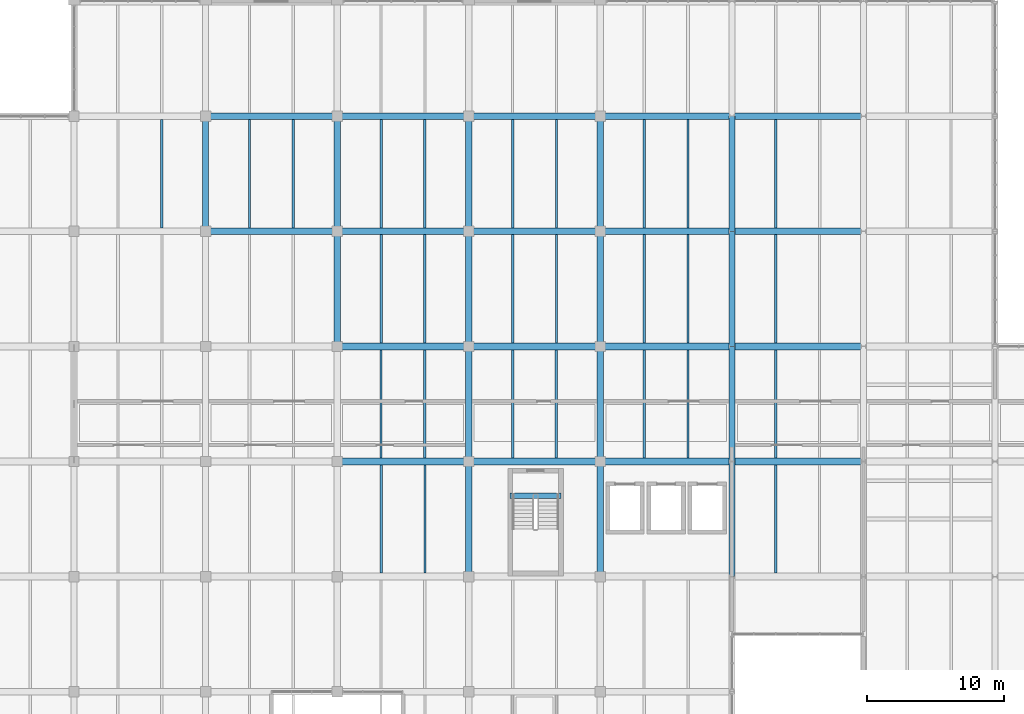
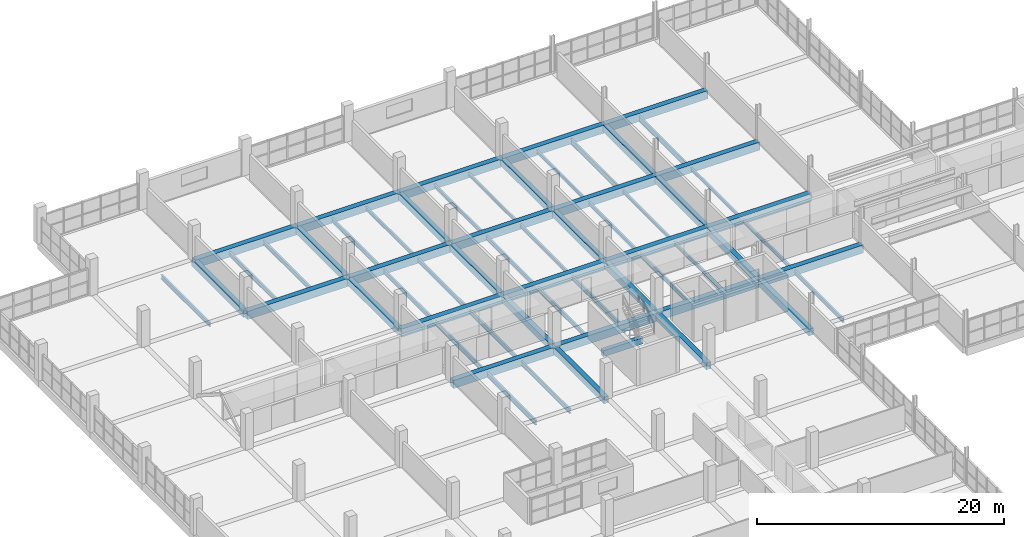
# One storey, part 40 of 147: 61 beams.
"""IFC4 building model written with IfcOpenShell, lengths in metres."""

from ifc_helpers import new_model, si_unit, direction, frame, origin, origin_2d, place, context, subcontext, project, spatial, rectangle, i_section, extrude, material, material_profile, profile_set, type_object, element, save


model = new_model("IFC4")

# Units and contexts
model_context = context("Model", 3, precision=1e-05, world=origin(), true_north=direction((0.0, 1.0)))
body_context = subcontext(model_context, "Body", "Model", "MODEL_VIEW")
ifc_project = project(units=[si_unit("LENGTHUNIT", "METRE"), si_unit("AREAUNIT", "SQUARE_METRE"), si_unit("VOLUMEUNIT", "CUBIC_METRE"), si_unit("PLANEANGLEUNIT", "RADIAN"), si_unit("MASSUNIT", "GRAM", prefix="KILO")], contexts=[model_context])

# Site, building, storey
site_placement = place(None, origin())
site = spatial("IfcSite", under=ifc_project, at=site_placement, CompositionType="ELEMENT")
building_placement = place(site_placement, origin())
building = spatial("IfcBuilding", under=site, at=building_placement, Name="Oolite Switchyard Hospital", CompositionType="ELEMENT")
storey_placement = place(building_placement, frame((0.0, 0.0, 9.89990234375)))
storey = spatial("IfcBuildingStorey", under=building, at=storey_placement, Name="L02", CompositionType="ELEMENT", Elevation=9.89990234375)

# Beams
ifc_material_1 = material(Name="Concrete C40/50", Category="concrete")
ifc_material_profile_1 = material_profile(ifc_material_1, rectangle(XDim=0.39990234375, YDim=0.60009765625, at=origin_2d()), Name="RCB400X600")
ifc_profile_set_1 = profile_set([ifc_material_profile_1], Name="Concrete C40/50")
beam_type_1 = type_object("IfcBeamType", Name="BM-RC400X600", PredefinedType="BEAM", material=ifc_profile_set_1)
beam_1_placement = place(storey_placement, frame((41.425048828125, 98.31005859375, -0.2998046875), z_axis=(1.0, 0.0, 0.0), x_axis=(0.0, 1.0, 0.0)))
element("IfcBeam", 1, at=beam_1_placement, inside=storey, type_object=beam_type_1, Name="L02 ST-07 Stair Throat Trimmer Beam", PredefinedType="BEAM", context=body_context, shape_type="SweptSolid", body=[
    extrude(rectangle(XDim=0.39990234375, YDim=0.60009765625, at=origin_2d()), origin(), (0.0, 0.0, 1.0), 3.7099609375),
])
ifc_material_profile_2 = material_profile(ifc_material_1, rectangle(XDim=0.449951171875, YDim=0.64990234375, at=origin_2d()), Name="RCB450X650")
ifc_profile_set_2 = profile_set([ifc_material_profile_2], Name="Concrete C40/50")
beam_type_2 = type_object("IfcBeamType", Name="BM-RC450X650", PredefinedType="BEAM", material=ifc_profile_set_2)
beam_2_placement = place(storey_placement, frame((19.199951171875, 117.60009765625, -0.324951171875), z_axis=(0.0, 1.0, 0.0), x_axis=(-1.0, 0.0, 0.0)))
element("IfcBeam", 2, at=beam_2_placement, inside=storey, type_object=beam_type_2, Name="L02 Y-Girder 1291", PredefinedType="BEAM", context=body_context, shape_type="SweptSolid", body=[
    extrude(rectangle(XDim=0.449951171875, YDim=0.64990234375, at=origin_2d()), origin(), (0.0, 0.0, 1.0), 8.39990234375),
])
beam_3_placement = place(storey_placement, frame((28.800048828125, 109.199951171875, -0.324951171875), z_axis=(0.0, 1.0, 0.0), x_axis=(-1.0, 0.0, 0.0)))
element("IfcBeam", 3, at=beam_3_placement, inside=storey, type_object=beam_type_2, Name="L02 Y-Girder 1305", PredefinedType="BEAM", context=body_context, shape_type="SweptSolid", body=[
    extrude(rectangle(XDim=0.449951171875, YDim=0.64990234375, at=origin_2d()), origin(), (0.0, 0.0, 1.0), 8.400146484375),
])
beam_4_placement = place(storey_placement, frame((28.800048828125, 117.60009765625, -0.324951171875), z_axis=(0.0, 1.0, 0.0), x_axis=(-1.0, 0.0, 0.0)))
element("IfcBeam", 4, at=beam_4_placement, inside=storey, type_object=beam_type_2, Name="L02 Y-Girder 1306", PredefinedType="BEAM", context=body_context, shape_type="SweptSolid", body=[
    extrude(rectangle(XDim=0.449951171875, YDim=0.64990234375, at=origin_2d()), origin(), (0.0, 0.0, 1.0), 8.39990234375),
])
beam_5_placement = place(storey_placement, frame((38.39990234375, 92.39990234375, -0.324951171875), z_axis=(0.0, 1.0, 0.0), x_axis=(-1.0, 0.0, 0.0)))
element("IfcBeam", 5, at=beam_5_placement, inside=storey, type_object=beam_type_2, Name="L02 Y-Girder 1319", PredefinedType="BEAM", context=body_context, shape_type="SweptSolid", body=[
    extrude(rectangle(XDim=0.449951171875, YDim=0.64990234375, at=origin_2d()), origin(), (0.0, 0.0, 1.0), 8.400146484375),
])
beam_6_placement = place(storey_placement, frame((38.39990234375, 100.800048828125, -0.324951171875), z_axis=(0.0, 1.0, 0.0), x_axis=(-1.0, 0.0, 0.0)))
element("IfcBeam", 6, at=beam_6_placement, inside=storey, type_object=beam_type_2, Name="L02 Y-Girder 1320", PredefinedType="BEAM", context=body_context, shape_type="SweptSolid", body=[
    extrude(rectangle(XDim=0.449951171875, YDim=0.64990234375, at=origin_2d()), origin(), (0.0, 0.0, 1.0), 8.39990234375),
])
beam_7_placement = place(storey_placement, frame((38.39990234375, 109.199951171875, -0.324951171875), z_axis=(0.0, 1.0, 0.0), x_axis=(-1.0, 0.0, 0.0)))
element("IfcBeam", 7, at=beam_7_placement, inside=storey, type_object=beam_type_2, Name="L02 Y-Girder 1321", PredefinedType="BEAM", context=body_context, shape_type="SweptSolid", body=[
    extrude(rectangle(XDim=0.449951171875, YDim=0.64990234375, at=origin_2d()), origin(), (0.0, 0.0, 1.0), 8.400146484375),
])
beam_8_placement = place(storey_placement, frame((38.39990234375, 117.60009765625, -0.324951171875), z_axis=(0.0, 1.0, 0.0), x_axis=(-1.0, 0.0, 0.0)))
element("IfcBeam", 8, at=beam_8_placement, inside=storey, type_object=beam_type_2, Name="L02 Y-Girder 1322", PredefinedType="BEAM", context=body_context, shape_type="SweptSolid", body=[
    extrude(rectangle(XDim=0.449951171875, YDim=0.64990234375, at=origin_2d()), origin(), (0.0, 0.0, 1.0), 8.39990234375),
])
beam_9_placement = place(storey_placement, frame((48.0, 92.39990234375, -0.324951171875), z_axis=(0.0, 1.0, 0.0), x_axis=(-1.0, 0.0, 0.0)))
element("IfcBeam", 9, at=beam_9_placement, inside=storey, type_object=beam_type_2, Name="L02 Y-Girder 1335", PredefinedType="BEAM", context=body_context, shape_type="SweptSolid", body=[
    extrude(rectangle(XDim=0.449951171875, YDim=0.64990234375, at=origin_2d()), origin(), (0.0, 0.0, 1.0), 8.400146484375),
])
beam_10_placement = place(storey_placement, frame((48.0, 100.800048828125, -0.324951171875), z_axis=(0.0, 1.0, 0.0), x_axis=(-1.0, 0.0, 0.0)))
element("IfcBeam", 10, at=beam_10_placement, inside=storey, type_object=beam_type_2, Name="L02 Y-Girder 1336", PredefinedType="BEAM", context=body_context, shape_type="SweptSolid", body=[
    extrude(rectangle(XDim=0.449951171875, YDim=0.64990234375, at=origin_2d()), origin(), (0.0, 0.0, 1.0), 8.39990234375),
])
beam_11_placement = place(storey_placement, frame((48.0, 109.199951171875, -0.324951171875), z_axis=(0.0, 1.0, 0.0), x_axis=(-1.0, 0.0, 0.0)))
element("IfcBeam", 11, at=beam_11_placement, inside=storey, type_object=beam_type_2, Name="L02 Y-Girder 1337", PredefinedType="BEAM", context=body_context, shape_type="SweptSolid", body=[
    extrude(rectangle(XDim=0.449951171875, YDim=0.64990234375, at=origin_2d()), origin(), (0.0, 0.0, 1.0), 8.400146484375),
])
beam_12_placement = place(storey_placement, frame((48.0, 117.60009765625, -0.324951171875), z_axis=(0.0, 1.0, 0.0), x_axis=(-1.0, 0.0, 0.0)))
element("IfcBeam", 12, at=beam_12_placement, inside=storey, type_object=beam_type_2, Name="L02 Y-Girder 1338", PredefinedType="BEAM", context=body_context, shape_type="SweptSolid", body=[
    extrude(rectangle(XDim=0.449951171875, YDim=0.64990234375, at=origin_2d()), origin(), (0.0, 0.0, 1.0), 8.39990234375),
])
beam_13_placement = place(storey_placement, frame((57.60009765625, 92.39990234375, -0.324951171875), z_axis=(0.0, 1.0, 0.0), x_axis=(-1.0, 0.0, 0.0)))
element("IfcBeam", 13, at=beam_13_placement, inside=storey, type_object=beam_type_2, Name="L02 Y-Girder 1351", PredefinedType="BEAM", context=body_context, shape_type="SweptSolid", body=[
    extrude(rectangle(XDim=0.449951171875, YDim=0.64990234375, at=origin_2d()), origin(), (0.0, 0.0, 1.0), 8.400146484375),
])
beam_14_placement = place(storey_placement, frame((57.60009765625, 100.800048828125, -0.324951171875), z_axis=(0.0, 1.0, 0.0), x_axis=(-1.0, 0.0, 0.0)))
element("IfcBeam", 14, at=beam_14_placement, inside=storey, type_object=beam_type_2, Name="L02 Y-Girder 1352", PredefinedType="BEAM", context=body_context, shape_type="SweptSolid", body=[
    extrude(rectangle(XDim=0.449951171875, YDim=0.64990234375, at=origin_2d()), origin(), (0.0, 0.0, 1.0), 8.39990234375),
])
beam_15_placement = place(storey_placement, frame((57.60009765625, 109.199951171875, -0.324951171875), z_axis=(0.0, 1.0, 0.0), x_axis=(-1.0, 0.0, 0.0)))
element("IfcBeam", 15, at=beam_15_placement, inside=storey, type_object=beam_type_2, Name="L02 Y-Girder 1353", PredefinedType="BEAM", context=body_context, shape_type="SweptSolid", body=[
    extrude(rectangle(XDim=0.449951171875, YDim=0.64990234375, at=origin_2d()), origin(), (0.0, 0.0, 1.0), 8.400146484375),
])
beam_16_placement = place(storey_placement, frame((57.60009765625, 117.60009765625, -0.324951171875), z_axis=(0.0, 1.0, 0.0), x_axis=(-1.0, 0.0, 0.0)))
element("IfcBeam", 16, at=beam_16_placement, inside=storey, type_object=beam_type_2, Name="L02 Y-Girder 1354", PredefinedType="BEAM", context=body_context, shape_type="SweptSolid", body=[
    extrude(rectangle(XDim=0.449951171875, YDim=0.64990234375, at=origin_2d()), origin(), (0.0, 0.0, 1.0), 8.39990234375),
])
ifc_material_profile_3 = material_profile(ifc_material_1, rectangle(XDim=0.5, YDim=0.800048828125, at=origin_2d()), Name="RCB500X800")
ifc_profile_set_3 = profile_set([ifc_material_profile_3], Name="Concrete C40/50")
beam_type_3 = type_object("IfcBeamType", Name="BM-RC500X800", PredefinedType="BEAM", material=ifc_profile_set_3)
beam_17_placement = place(storey_placement, frame((28.800048828125, 100.800048828125, -0.39990234375), z_axis=(1.0, 0.0, 0.0), x_axis=(0.0, 1.0, 0.0)))
element("IfcBeam", 17, at=beam_17_placement, inside=storey, type_object=beam_type_3, Name="L02 X-Girder 1163", PredefinedType="BEAM", context=body_context, shape_type="SweptSolid", body=[
    extrude(rectangle(XDim=0.5, YDim=0.800048828125, at=origin_2d()), origin(), (0.0, 0.0, 1.0), 9.599853515625),
])
for number, where, z_axis, x_axis, name in (
    (18, (38.39990234375, 100.800048828125, -0.39990234375), (1.0, 0.0, 0.0), (0.0, 1.0, 0.0), "L02 X-Girder 1164"),
    (19, (48.0, 100.800048828125, -0.39990234375), (1.0, 0.0, 0.0), (0.0, 1.0, 0.0), "L02 X-Girder 1165"),
):
    element("IfcBeam", number, at=place(storey_placement, frame(where, z_axis=z_axis, x_axis=x_axis)), inside=storey, type_object=beam_type_3, Name=name, PredefinedType="BEAM", context=body_context, shape_type="SweptSolid", body=[
        extrude(rectangle(XDim=0.5, YDim=0.800048828125, at=origin_2d()), origin(), (0.0, 0.0, 1.0), 9.60009765625),
    ])
for number, where, z_axis, x_axis, name in (
    (20, (57.60009765625, 100.800048828125, -0.39990234375), (1.0, 0.0, 0.0), (0.0, 1.0, 0.0), "L02 X-Girder 1166"),
    (21, (28.800048828125, 109.199951171875, -0.39990234375), (1.0, 0.0, 0.0), (0.0, 1.0, 0.0), "L02 X-Girder 1184"),
):
    element("IfcBeam", number, at=place(storey_placement, frame(where, z_axis=z_axis, x_axis=x_axis)), inside=storey, type_object=beam_type_3, Name=name, PredefinedType="BEAM", context=body_context, shape_type="SweptSolid", body=[
        extrude(rectangle(XDim=0.5, YDim=0.800048828125, at=origin_2d()), origin(), (0.0, 0.0, 1.0), 9.599853515625),
    ])
for number, where, z_axis, x_axis, name in (
    (22, (38.39990234375, 109.199951171875, -0.39990234375), (1.0, 0.0, 0.0), (0.0, 1.0, 0.0), "L02 X-Girder 1185"),
    (23, (48.0, 109.199951171875, -0.39990234375), (1.0, 0.0, 0.0), (0.0, 1.0, 0.0), "L02 X-Girder 1186"),
):
    element("IfcBeam", number, at=place(storey_placement, frame(where, z_axis=z_axis, x_axis=x_axis)), inside=storey, type_object=beam_type_3, Name=name, PredefinedType="BEAM", context=body_context, shape_type="SweptSolid", body=[
        extrude(rectangle(XDim=0.5, YDim=0.800048828125, at=origin_2d()), origin(), (0.0, 0.0, 1.0), 9.60009765625),
    ])
beam_18_placement = place(storey_placement, frame((57.60009765625, 109.199951171875, -0.39990234375), z_axis=(1.0, 0.0, 0.0), x_axis=(0.0, 1.0, 0.0)))
element("IfcBeam", 24, at=beam_18_placement, inside=storey, type_object=beam_type_3, Name="L02 X-Girder 1187", PredefinedType="BEAM", context=body_context, shape_type="SweptSolid", body=[
    extrude(rectangle(XDim=0.5, YDim=0.800048828125, at=origin_2d()), origin(), (0.0, 0.0, 1.0), 9.599853515625),
])
beam_19_placement = place(storey_placement, frame((19.199951171875, 117.60009765625, -0.39990234375), z_axis=(1.0, 0.0, 0.0), x_axis=(0.0, 1.0, 0.0)))
element("IfcBeam", 25, at=beam_19_placement, inside=storey, type_object=beam_type_3, Name="L02 X-Girder 1205", PredefinedType="BEAM", context=body_context, shape_type="SweptSolid", body=[
    extrude(rectangle(XDim=0.5, YDim=0.800048828125, at=origin_2d()), origin(), (0.0, 0.0, 1.0), 9.60009765625),
])
beam_20_placement = place(storey_placement, frame((28.800048828125, 117.60009765625, -0.39990234375), z_axis=(1.0, 0.0, 0.0), x_axis=(0.0, 1.0, 0.0)))
element("IfcBeam", 26, at=beam_20_placement, inside=storey, type_object=beam_type_3, Name="L02 X-Girder 1206", PredefinedType="BEAM", context=body_context, shape_type="SweptSolid", body=[
    extrude(rectangle(XDim=0.5, YDim=0.800048828125, at=origin_2d()), origin(), (0.0, 0.0, 1.0), 9.599853515625),
])
for number, where, z_axis, x_axis, name in (
    (27, (38.39990234375, 117.60009765625, -0.39990234375), (1.0, 0.0, 0.0), (0.0, 1.0, 0.0), "L02 X-Girder 1207"),
    (28, (48.0, 117.60009765625, -0.39990234375), (1.0, 0.0, 0.0), (0.0, 1.0, 0.0), "L02 X-Girder 1208"),
):
    element("IfcBeam", number, at=place(storey_placement, frame(where, z_axis=z_axis, x_axis=x_axis)), inside=storey, type_object=beam_type_3, Name=name, PredefinedType="BEAM", context=body_context, shape_type="SweptSolid", body=[
        extrude(rectangle(XDim=0.5, YDim=0.800048828125, at=origin_2d()), origin(), (0.0, 0.0, 1.0), 9.60009765625),
    ])
beam_21_placement = place(storey_placement, frame((57.60009765625, 117.60009765625, -0.39990234375), z_axis=(1.0, 0.0, 0.0), x_axis=(0.0, 1.0, 0.0)))
element("IfcBeam", 29, at=beam_21_placement, inside=storey, type_object=beam_type_3, Name="L02 X-Girder 1209", PredefinedType="BEAM", context=body_context, shape_type="SweptSolid", body=[
    extrude(rectangle(XDim=0.5, YDim=0.800048828125, at=origin_2d()), origin(), (0.0, 0.0, 1.0), 9.599853515625),
])
beam_22_placement = place(storey_placement, frame((19.199951171875, 126.0, -0.39990234375), z_axis=(1.0, 0.0, 0.0), x_axis=(0.0, 1.0, 0.0)))
element("IfcBeam", 30, at=beam_22_placement, inside=storey, type_object=beam_type_3, Name="L02 X-Girder 1221", PredefinedType="BEAM", context=body_context, shape_type="SweptSolid", body=[
    extrude(rectangle(XDim=0.5, YDim=0.800048828125, at=origin_2d()), origin(), (0.0, 0.0, 1.0), 9.60009765625),
])
beam_23_placement = place(storey_placement, frame((28.800048828125, 126.0, -0.39990234375), z_axis=(1.0, 0.0, 0.0), x_axis=(0.0, 1.0, 0.0)))
element("IfcBeam", 31, at=beam_23_placement, inside=storey, type_object=beam_type_3, Name="L02 X-Girder 1222", PredefinedType="BEAM", context=body_context, shape_type="SweptSolid", body=[
    extrude(rectangle(XDim=0.5, YDim=0.800048828125, at=origin_2d()), origin(), (0.0, 0.0, 1.0), 9.599853515625),
])
for number, where, z_axis, x_axis, name in (
    (32, (38.39990234375, 126.0, -0.39990234375), (1.0, 0.0, 0.0), (0.0, 1.0, 0.0), "L02 X-Girder 1223"),
    (33, (48.0, 126.0, -0.39990234375), (1.0, 0.0, 0.0), (0.0, 1.0, 0.0), "L02 X-Girder 1224"),
):
    element("IfcBeam", number, at=place(storey_placement, frame(where, z_axis=z_axis, x_axis=x_axis)), inside=storey, type_object=beam_type_3, Name=name, PredefinedType="BEAM", context=body_context, shape_type="SweptSolid", body=[
        extrude(rectangle(XDim=0.5, YDim=0.800048828125, at=origin_2d()), origin(), (0.0, 0.0, 1.0), 9.60009765625),
    ])
beam_24_placement = place(storey_placement, frame((57.60009765625, 126.0, -0.39990234375), z_axis=(1.0, 0.0, 0.0), x_axis=(0.0, 1.0, 0.0)))
element("IfcBeam", 34, at=beam_24_placement, inside=storey, type_object=beam_type_3, Name="L02 X-Girder 1225", PredefinedType="BEAM", context=body_context, shape_type="SweptSolid", body=[
    extrude(rectangle(XDim=0.5, YDim=0.800048828125, at=origin_2d()), origin(), (0.0, 0.0, 1.0), 9.599853515625),
])
ifc_material_2 = material(Name="Steel ASTM A992 Grade 50", Category="steel")
ifc_material_profile_4 = material_profile(ifc_material_2, i_section(OverallWidth=0.1650390625, OverallDepth=0.31005859375, WebThickness=0.006103515625, FlangeThickness=0.010009765625, at=origin_2d()), Name="W12X26")
ifc_profile_set_4 = profile_set([ifc_material_profile_4], Name="Steel ASTM A992 Grade 50")
beam_type_4 = type_object("IfcBeamType", Name="BM-W12X26", PredefinedType="JOIST", material=ifc_profile_set_4)
beam_25_placement = place(storey_placement, frame((44.800048828125, 117.85009765625, -0.414794921875), z_axis=(0.0, 1.0, 0.0), x_axis=(-1.0, 0.0, 0.0)))
element("IfcBeam", 35, at=beam_25_placement, inside=storey, type_object=beam_type_4, Name="L02 Secondary Steel Joist 1649", PredefinedType="JOIST", context=body_context, shape_type="SweptSolid", body=[
    extrude(i_section(OverallWidth=0.1650390625, OverallDepth=0.31005859375, WebThickness=0.006103515625, FlangeThickness=0.010009765625, at=origin_2d()), origin(), (0.0, 0.0, 1.0), 7.89990234375),
])
beam_26_placement = place(storey_placement, frame((54.39990234375, 109.449951171875, -0.414794921875), z_axis=(0.0, 1.0, 0.0), x_axis=(-1.0, 0.0, 0.0)))
element("IfcBeam", 36, at=beam_26_placement, inside=storey, type_object=beam_type_4, Name="L02 Secondary Steel Joist 1675", PredefinedType="JOIST", context=body_context, shape_type="SweptSolid", body=[
    extrude(i_section(OverallWidth=0.1650390625, OverallDepth=0.31005859375, WebThickness=0.006103515625, FlangeThickness=0.010009765625, at=origin_2d()), origin(), (0.0, 0.0, 1.0), 7.900146484375),
])
beam_27_placement = place(storey_placement, frame((51.199951171875, 117.85009765625, -0.414794921875), z_axis=(0.0, 1.0, 0.0), x_axis=(-1.0, 0.0, 0.0)))
element("IfcBeam", 37, at=beam_27_placement, inside=storey, type_object=beam_type_4, Name="L02 Secondary Steel Joist 1676", PredefinedType="JOIST", context=body_context, shape_type="SweptSolid", body=[
    extrude(i_section(OverallWidth=0.1650390625, OverallDepth=0.31005859375, WebThickness=0.006103515625, FlangeThickness=0.010009765625, at=origin_2d()), origin(), (0.0, 0.0, 1.0), 7.89990234375),
])
beam_28_placement = place(storey_placement, frame((60.800048828125, 109.449951171875, -0.414794921875), z_axis=(0.0, 1.0, 0.0), x_axis=(-1.0, 0.0, 0.0)))
element("IfcBeam", 38, at=beam_28_placement, inside=storey, type_object=beam_type_4, Name="L02 Secondary Steel Joist 1692", PredefinedType="JOIST", context=body_context, shape_type="SweptSolid", body=[
    extrude(i_section(OverallWidth=0.1650390625, OverallDepth=0.31005859375, WebThickness=0.006103515625, FlangeThickness=0.010009765625, at=origin_2d()), origin(), (0.0, 0.0, 1.0), 7.900146484375),
])
ifc_material_profile_5 = material_profile(ifc_material_2, i_section(OverallWidth=0.1708984375, OverallDepth=0.35107421875, WebThickness=0.007080078125, FlangeThickness=0.010009765625, at=origin_2d()), Name="W14X30")
ifc_profile_set_5 = profile_set([ifc_material_profile_5], Name="Steel ASTM A992 Grade 50")
beam_type_5 = type_object("IfcBeamType", Name="BM-W14X30", PredefinedType="JOIST", material=ifc_profile_set_5)
beam_29_placement = place(storey_placement, frame((35.199951171875, 117.85009765625, -0.434814453125), z_axis=(0.0, 1.0, 0.0), x_axis=(-1.0, 0.0, 0.0)))
element("IfcBeam", 39, at=beam_29_placement, inside=storey, type_object=beam_type_5, Name="L02 Secondary Steel Joist 1621", PredefinedType="JOIST", context=body_context, shape_type="SweptSolid", body=[
    extrude(i_section(OverallWidth=0.1708984375, OverallDepth=0.35107421875, WebThickness=0.007080078125, FlangeThickness=0.010009765625, at=origin_2d()), origin(), (0.0, 0.0, 1.0), 7.89990234375),
])
beam_30_placement = place(storey_placement, frame((44.800048828125, 109.449951171875, -0.434814453125), z_axis=(0.0, 1.0, 0.0), x_axis=(-1.0, 0.0, 0.0)))
element("IfcBeam", 40, at=beam_30_placement, inside=storey, type_object=beam_type_5, Name="L02 Secondary Steel Joist 1647", PredefinedType="JOIST", context=body_context, shape_type="SweptSolid", body=[
    extrude(i_section(OverallWidth=0.1708984375, OverallDepth=0.35107421875, WebThickness=0.007080078125, FlangeThickness=0.010009765625, at=origin_2d()), origin(), (0.0, 0.0, 1.0), 7.900146484375),
])
for number, where, z_axis, x_axis, name in (
    (41, (41.60009765625, 117.85009765625, -0.434814453125), (0.0, 1.0, 0.0), (-1.0, 0.0, 0.0), "L02 Secondary Steel Joist 1648"),
    (42, (54.39990234375, 101.050048828125, -0.434814453125), (0.0, 1.0, 0.0), (-1.0, 0.0, 0.0), "L02 Secondary Steel Joist 1673"),
):
    element("IfcBeam", number, at=place(storey_placement, frame(where, z_axis=z_axis, x_axis=x_axis)), inside=storey, type_object=beam_type_5, Name=name, PredefinedType="JOIST", context=body_context, shape_type="SweptSolid", body=[
        extrude(i_section(OverallWidth=0.1708984375, OverallDepth=0.35107421875, WebThickness=0.007080078125, FlangeThickness=0.010009765625, at=origin_2d()), origin(), (0.0, 0.0, 1.0), 7.89990234375),
    ])
beam_31_placement = place(storey_placement, frame((51.199951171875, 109.449951171875, -0.434814453125), z_axis=(0.0, 1.0, 0.0), x_axis=(-1.0, 0.0, 0.0)))
element("IfcBeam", 43, at=beam_31_placement, inside=storey, type_object=beam_type_5, Name="L02 Secondary Steel Joist 1674", PredefinedType="JOIST", context=body_context, shape_type="SweptSolid", body=[
    extrude(i_section(OverallWidth=0.1708984375, OverallDepth=0.35107421875, WebThickness=0.007080078125, FlangeThickness=0.010009765625, at=origin_2d()), origin(), (0.0, 0.0, 1.0), 7.900146484375),
])
beam_32_placement = place(storey_placement, frame((60.800048828125, 101.050048828125, -0.434814453125), z_axis=(0.0, 1.0, 0.0), x_axis=(-1.0, 0.0, 0.0)))
element("IfcBeam", 44, at=beam_32_placement, inside=storey, type_object=beam_type_5, Name="L02 Secondary Steel Joist 1690", PredefinedType="JOIST", context=body_context, shape_type="SweptSolid", body=[
    extrude(i_section(OverallWidth=0.1708984375, OverallDepth=0.35107421875, WebThickness=0.007080078125, FlangeThickness=0.010009765625, at=origin_2d()), origin(), (0.0, 0.0, 1.0), 7.89990234375),
])
ifc_material_profile_6 = material_profile(ifc_material_2, i_section(OverallWidth=0.177978515625, OverallDepth=0.403076171875, WebThickness=0.008056640625, FlangeThickness=0.010986328125, at=origin_2d()), Name="W16X36")
ifc_profile_set_6 = profile_set([ifc_material_profile_6], Name="Steel ASTM A992 Grade 50")
beam_type_6 = type_object("IfcBeamType", Name="BM-W16X36", PredefinedType="JOIST", material=ifc_profile_set_6)
beam_33_placement = place(storey_placement, frame((25.60009765625, 117.85009765625, -0.4609375), z_axis=(0.0, 1.0, 0.0), x_axis=(-1.0, 0.0, 0.0)))
element("IfcBeam", 45, at=beam_33_placement, inside=storey, type_object=beam_type_6, Name="L02 Secondary Steel Joist 1589", PredefinedType="JOIST", context=body_context, shape_type="SweptSolid", body=[
    extrude(i_section(OverallWidth=0.177978515625, OverallDepth=0.403076171875, WebThickness=0.008056640625, FlangeThickness=0.010986328125, at=origin_2d()), origin(), (0.0, 0.0, 1.0), 7.89990234375),
])
beam_34_placement = place(storey_placement, frame((35.199951171875, 109.449951171875, -0.4609375), z_axis=(0.0, 1.0, 0.0), x_axis=(-1.0, 0.0, 0.0)))
element("IfcBeam", 46, at=beam_34_placement, inside=storey, type_object=beam_type_6, Name="L02 Secondary Steel Joist 1619", PredefinedType="JOIST", context=body_context, shape_type="SweptSolid", body=[
    extrude(i_section(OverallWidth=0.177978515625, OverallDepth=0.403076171875, WebThickness=0.008056640625, FlangeThickness=0.010986328125, at=origin_2d()), origin(), (0.0, 0.0, 1.0), 7.900146484375),
])
for number, where, z_axis, x_axis, name in (
    (47, (32.0, 117.85009765625, -0.4609375), (0.0, 1.0, 0.0), (-1.0, 0.0, 0.0), "L02 Secondary Steel Joist 1620"),
    (48, (44.800048828125, 101.050048828125, -0.4609375), (0.0, 1.0, 0.0), (-1.0, 0.0, 0.0), "L02 Secondary Steel Joist 1645"),
):
    element("IfcBeam", number, at=place(storey_placement, frame(where, z_axis=z_axis, x_axis=x_axis)), inside=storey, type_object=beam_type_6, Name=name, PredefinedType="JOIST", context=body_context, shape_type="SweptSolid", body=[
        extrude(i_section(OverallWidth=0.177978515625, OverallDepth=0.403076171875, WebThickness=0.008056640625, FlangeThickness=0.010986328125, at=origin_2d()), origin(), (0.0, 0.0, 1.0), 7.89990234375),
    ])
beam_35_placement = place(storey_placement, frame((41.60009765625, 109.449951171875, -0.4609375), z_axis=(0.0, 1.0, 0.0), x_axis=(-1.0, 0.0, 0.0)))
element("IfcBeam", 49, at=beam_35_placement, inside=storey, type_object=beam_type_6, Name="L02 Secondary Steel Joist 1646", PredefinedType="JOIST", context=body_context, shape_type="SweptSolid", body=[
    extrude(i_section(OverallWidth=0.177978515625, OverallDepth=0.403076171875, WebThickness=0.008056640625, FlangeThickness=0.010986328125, at=origin_2d()), origin(), (0.0, 0.0, 1.0), 7.900146484375),
])
beam_36_placement = place(storey_placement, frame((51.199951171875, 101.050048828125, -0.4609375), z_axis=(0.0, 1.0, 0.0), x_axis=(-1.0, 0.0, 0.0)))
element("IfcBeam", 50, at=beam_36_placement, inside=storey, type_object=beam_type_6, Name="L02 Secondary Steel Joist 1672", PredefinedType="JOIST", context=body_context, shape_type="SweptSolid", body=[
    extrude(i_section(OverallWidth=0.177978515625, OverallDepth=0.403076171875, WebThickness=0.008056640625, FlangeThickness=0.010986328125, at=origin_2d()), origin(), (0.0, 0.0, 1.0), 7.89990234375),
])
beam_37_placement = place(storey_placement, frame((60.800048828125, 92.64990234375, -0.4609375), z_axis=(0.0, 1.0, 0.0), x_axis=(-1.0, 0.0, 0.0)))
element("IfcBeam", 51, at=beam_37_placement, inside=storey, type_object=beam_type_6, Name="L02 Secondary Steel Joist 1688", PredefinedType="JOIST", context=body_context, shape_type="SweptSolid", body=[
    extrude(i_section(OverallWidth=0.177978515625, OverallDepth=0.403076171875, WebThickness=0.008056640625, FlangeThickness=0.010986328125, at=origin_2d()), origin(), (0.0, 0.0, 1.0), 7.900146484375),
])
ifc_material_profile_7 = material_profile(ifc_material_2, i_section(OverallWidth=0.179931640625, OverallDepth=0.4130859375, WebThickness=0.010009765625, FlangeThickness=0.01611328125, at=origin_2d()), Name="W16X50")
ifc_profile_set_7 = profile_set([ifc_material_profile_7], Name="Steel ASTM A992 Grade 50")
beam_type_7 = type_object("IfcBeamType", Name="BM-W16X50", PredefinedType="JOIST", material=ifc_profile_set_7)
for number, where, z_axis, x_axis, name in (
    (52, (16.0, 117.85009765625, -0.4658203125), (0.0, 1.0, 0.0), (-1.0, 0.0, 0.0), "L02 Secondary Steel Joist 1561"),
    (53, (22.39990234375, 117.85009765625, -0.4658203125), (0.0, 1.0, 0.0), (-1.0, 0.0, 0.0), "L02 Secondary Steel Joist 1588"),
    (54, (35.199951171875, 101.050048828125, -0.4658203125), (0.0, 1.0, 0.0), (-1.0, 0.0, 0.0), "L02 Secondary Steel Joist 1617"),
):
    element("IfcBeam", number, at=place(storey_placement, frame(where, z_axis=z_axis, x_axis=x_axis)), inside=storey, type_object=beam_type_7, Name=name, PredefinedType="JOIST", context=body_context, shape_type="SweptSolid", body=[
        extrude(i_section(OverallWidth=0.179931640625, OverallDepth=0.4130859375, WebThickness=0.010009765625, FlangeThickness=0.01611328125, at=origin_2d()), origin(), (0.0, 0.0, 1.0), 7.89990234375),
    ])
beam_38_placement = place(storey_placement, frame((32.0, 109.449951171875, -0.4658203125), z_axis=(0.0, 1.0, 0.0), x_axis=(-1.0, 0.0, 0.0)))
element("IfcBeam", 55, at=beam_38_placement, inside=storey, type_object=beam_type_7, Name="L02 Secondary Steel Joist 1618", PredefinedType="JOIST", context=body_context, shape_type="SweptSolid", body=[
    extrude(i_section(OverallWidth=0.179931640625, OverallDepth=0.4130859375, WebThickness=0.010009765625, FlangeThickness=0.01611328125, at=origin_2d()), origin(), (0.0, 0.0, 1.0), 7.900146484375),
])
beam_39_placement = place(storey_placement, frame((41.60009765625, 101.050048828125, -0.4658203125), z_axis=(0.0, 1.0, 0.0), x_axis=(-1.0, 0.0, 0.0)))
element("IfcBeam", 56, at=beam_39_placement, inside=storey, type_object=beam_type_7, Name="L02 Secondary Steel Joist 1644", PredefinedType="JOIST", context=body_context, shape_type="SweptSolid", body=[
    extrude(i_section(OverallWidth=0.179931640625, OverallDepth=0.4130859375, WebThickness=0.010009765625, FlangeThickness=0.01611328125, at=origin_2d()), origin(), (0.0, 0.0, 1.0), 7.89990234375),
])
ifc_material_profile_8 = material_profile(ifc_material_2, i_section(OverallWidth=0.153076171875, OverallDepth=0.455078125, WebThickness=0.008056640625, FlangeThickness=0.012939453125, at=origin_2d()), Name="W18X40")
ifc_profile_set_8 = profile_set([ifc_material_profile_8], Name="Steel ASTM A992 Grade 50")
beam_type_8 = type_object("IfcBeamType", Name="BM-W18X40", PredefinedType="JOIST", material=ifc_profile_set_8)
beam_40_placement = place(storey_placement, frame((35.199951171875, 92.64990234375, -0.48681640625), z_axis=(0.0, 1.0, 0.0), x_axis=(-1.0, 0.0, 0.0)))
element("IfcBeam", 57, at=beam_40_placement, inside=storey, type_object=beam_type_8, Name="L02 Secondary Steel Joist 1615", PredefinedType="JOIST", context=body_context, shape_type="SweptSolid", body=[
    extrude(i_section(OverallWidth=0.153076171875, OverallDepth=0.455078125, WebThickness=0.008056640625, FlangeThickness=0.012939453125, at=origin_2d()), origin(), (0.0, 0.0, 1.0), 7.900146484375),
])
beam_41_placement = place(storey_placement, frame((32.0, 101.050048828125, -0.48681640625), z_axis=(0.0, 1.0, 0.0), x_axis=(-1.0, 0.0, 0.0)))
element("IfcBeam", 58, at=beam_41_placement, inside=storey, type_object=beam_type_8, Name="L02 Secondary Steel Joist 1616", PredefinedType="JOIST", context=body_context, shape_type="SweptSolid", body=[
    extrude(i_section(OverallWidth=0.153076171875, OverallDepth=0.455078125, WebThickness=0.008056640625, FlangeThickness=0.012939453125, at=origin_2d()), origin(), (0.0, 0.0, 1.0), 7.89990234375),
])
ifc_material_profile_9 = material_profile(ifc_material_2, i_section(OverallWidth=0.19091796875, OverallDepth=0.4599609375, WebThickness=0.010009765625, FlangeThickness=0.01611328125, at=origin_2d()), Name="W18X55")
ifc_profile_set_9 = profile_set([ifc_material_profile_9], Name="Steel ASTM A992 Grade 50")
beam_type_9 = type_object("IfcBeamType", Name="BM-W18X55", PredefinedType="JOIST", material=ifc_profile_set_9)
beam_42_placement = place(storey_placement, frame((32.0, 92.64990234375, -0.489990234375), z_axis=(0.0, 1.0, 0.0), x_axis=(-1.0, 0.0, 0.0)))
element("IfcBeam", 59, at=beam_42_placement, inside=storey, type_object=beam_type_9, Name="L02 Secondary Steel Joist 1614", PredefinedType="JOIST", context=body_context, shape_type="SweptSolid", body=[
    extrude(i_section(OverallWidth=0.19091796875, OverallDepth=0.4599609375, WebThickness=0.010009765625, FlangeThickness=0.01611328125, at=origin_2d()), origin(), (0.0, 0.0, 1.0), 7.900146484375),
])
ifc_material_profile_10 = material_profile(ifc_material_2, i_section(OverallWidth=0.166015625, OverallDepth=0.529052734375, WebThickness=0.010009765625, FlangeThickness=0.013916015625, at=origin_2d()), Name="W21X50")
ifc_profile_set_10 = profile_set([ifc_material_profile_10], Name="Steel ASTM A992 Grade 50")
beam_type_10 = type_object("IfcBeamType", Name="BM-W21X50", PredefinedType="JOIST", material=ifc_profile_set_10)
for number, where, z_axis, x_axis, name in (
    (60, (54.39990234375, 117.85009765625, -0.52392578125), (0.0, 1.0, 0.0), (-1.0, 0.0, 0.0), "L02 Secondary Steel Joist 1677"),
    (61, (60.800048828125, 117.85009765625, -0.52392578125), (0.0, 1.0, 0.0), (-1.0, 0.0, 0.0), "L02 Secondary Steel Joist 1694"),
):
    element("IfcBeam", number, at=place(storey_placement, frame(where, z_axis=z_axis, x_axis=x_axis)), inside=storey, type_object=beam_type_10, Name=name, PredefinedType="JOIST", context=body_context, shape_type="SweptSolid", body=[
        extrude(i_section(OverallWidth=0.166015625, OverallDepth=0.529052734375, WebThickness=0.010009765625, FlangeThickness=0.013916015625, at=origin_2d()), origin(), (0.0, 0.0, 1.0), 7.89990234375),
    ])

save(model, "model.ifc")
